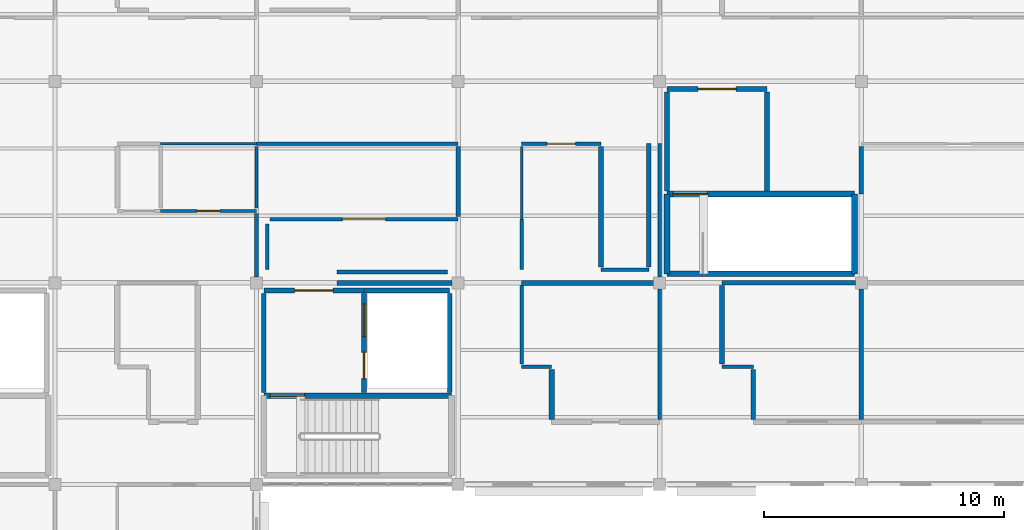
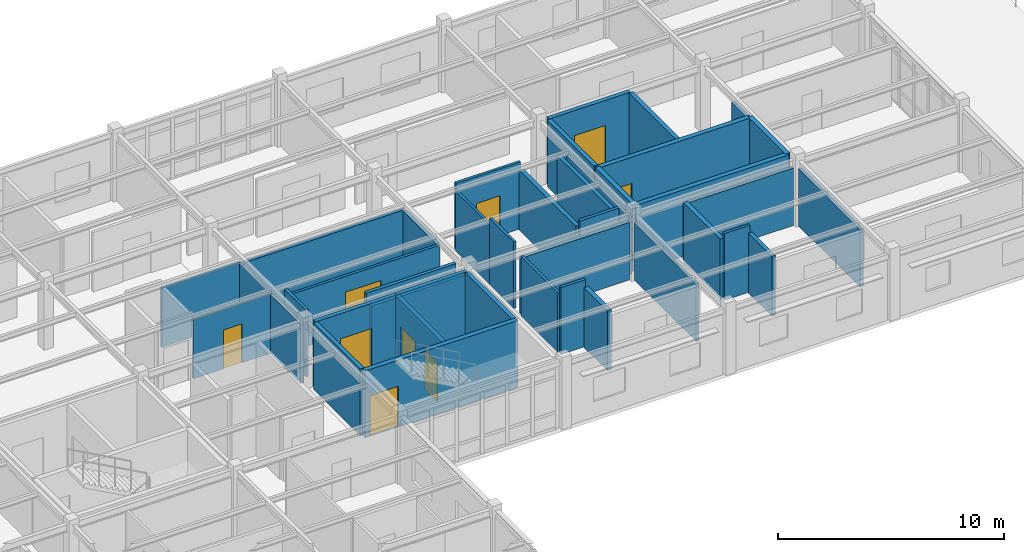
# One storey, part 44 of 53: 41 walls, 9 doors, 9 openings.
"""IFC4 building model written with IfcOpenShell, lengths in metres."""

from ifc_helpers import new_model, si_unit, direction, frame, frame_2d, origin, place, context, subcontext, project, spatial, rectangle, extrude, material, layer, layer_set, type_object, element, fill, save


model = new_model("IFC4")

# Units and contexts
model_context = context("Model", 3, precision=1e-05, world=origin(), true_north=direction((0.0, 1.0)))
body_context = subcontext(model_context, "Body", "Model", "MODEL_VIEW")
ifc_project = project(units=[si_unit("LENGTHUNIT", "METRE"), si_unit("AREAUNIT", "SQUARE_METRE"), si_unit("VOLUMEUNIT", "CUBIC_METRE"), si_unit("PLANEANGLEUNIT", "RADIAN"), si_unit("MASSUNIT", "GRAM", prefix="KILO")], contexts=[model_context])

# Site, building, storey
site_placement = place(None, origin())
site = spatial("IfcSite", under=ifc_project, at=site_placement, CompositionType="ELEMENT")
building_placement = place(site_placement, origin())
building = spatial("IfcBuilding", under=site, at=building_placement, Name="Bramfleet General Hospital", CompositionType="ELEMENT")
storey_placement = place(building_placement, frame((0.0, 0.0, 26.39990234375)))
storey = spatial("IfcBuildingStorey", under=building, at=storey_placement, Name="L06", CompositionType="ELEMENT", Elevation=26.39990234375)

# Walls
ifc_material_1 = material(Name="Concrete C35/45", Category="concrete")
ifc_layer_1 = layer(ifc_material_1, 0.219970703125, Name="WT-IW-01")
ifc_layer_set_1 = layer_set([ifc_layer_1], Name="Concrete C35/45")
wall_type_1 = type_object("IfcWallType", Name="WT-IW-01", PredefinedType="PARTITIONING", material=ifc_layer_set_1)
wall_1_placement = place(storey_placement, frame((120.949951171875, 100.800048828125, 0.0), z_axis=(0.0, 0.0, 1.0), x_axis=(1.0, 0.0, 0.0)))
element("IfcWall", 1, at=wall_1_placement, inside=storey, type_object=wall_type_1, Name="L06 Interior Partition IW-L06-3937", PredefinedType="PARTITIONING", context=body_context, shape_type="SweptSolid", body=[
    extrude(rectangle(XDim=4.804931640625, YDim=0.219970703125, at=frame_2d((2.40234375, 0.0))), origin(), (0.0, 0.0, 1.0), 3.210205078125),
])
wall_2_placement = place(storey_placement, frame((129.89990234375, 95.114990234375, 0.0), z_axis=(0.0, 0.0, 1.0), x_axis=(0.0, 1.0, 0.0)))
element("IfcWall", 2, at=wall_2_placement, inside=storey, type_object=wall_type_1, Name="L06 Interior Partition IW-L06-4105", PredefinedType="PARTITIONING", context=body_context, shape_type="SweptSolid", body=[
    extrude(rectangle(XDim=2.070068359375, YDim=0.219970703125, at=frame_2d((1.03515625, 0.0))), origin(), (0.0, 0.0, 1.0), 3.239990234375),
])
wall_3_placement = place(storey_placement, frame((137.0, 97.4150390625, 0.0), z_axis=(0.0, 0.0, 1.0), x_axis=(0.0, 1.0, 0.0)))
element("IfcWall", 3, at=wall_3_placement, inside=storey, type_object=wall_type_1, Name="L06 Interior Partition IW-L06-4117", PredefinedType="PARTITIONING", context=body_context, shape_type="SweptSolid", body=[
    extrude(rectangle(XDim=3.27001953125, YDim=0.219970703125, at=frame_2d((1.635009765625, 0.0))), origin(), (0.0, 0.0, 1.0), 3.239990234375),
])

# Wall, openings, doors
ifc_layer_2 = layer(ifc_material_1, 0.205078125, Name="WT-IW-02")
ifc_layer_set_2 = layer_set([ifc_layer_2], Name="Concrete C35/45")
wall_type_2 = type_object("IfcWallType", Name="WT-IW-02", PredefinedType="PARTITIONING", material=ifc_layer_set_2)
wall_4_placement = place(storey_placement, frame((122.080078125, 96.239990234375, 0.0), z_axis=(0.0, 0.0, 1.0), x_axis=(0.0, 1.0, 0.0)))
wall_4 = element("IfcWall", 4, at=wall_4_placement, inside=storey, type_object=wall_type_2, Name="L06 C6 Lobby East Shaft Wall", PredefinedType="PARTITIONING", context=body_context, shape_type="SweptSolid", body=[
    extrude(rectangle(XDim=4.1201171875, YDim=0.205078125, at=frame_2d((2.06005859375, 0.0))), origin(), (0.0, 0.0, 1.0), 3.610107421875),
])
opening_1_placement = place(wall_4_placement, frame((0.570068359375, 0.0, 0.0)))
opening_1 = element("IfcOpeningElement", 5, at=opening_1_placement, cuts=wall_4, Name="Opening LD-PL-04-L06", PredefinedType="OPENING", context=body_context, shape_type="SweptSolid", body=[
    extrude(rectangle(XDim=1.10009765625, YDim=2.14990234375, at=frame_2d((0.550048828125, 1.074951171875))), frame((0.0, 0.112548828125, 0.0), z_axis=(0.0, -1.0, 0.0), x_axis=(1.0, 0.0, 0.0)), (0.0, 0.0, 1.0), 0.22509765625),
])
opening_2_placement = place(wall_4_placement, frame((2.324951171875, 0.0, 0.0)))
opening_2 = element("IfcOpeningElement", 6, at=opening_2_placement, cuts=wall_4, Name="Opening LD-GL-02-L06", PredefinedType="OPENING", context=body_context, shape_type="SweptSolid", body=[
    extrude(rectangle(XDim=1.35009765625, YDim=2.199951171875, at=frame_2d((0.675048828125, 1.10009765625))), frame((0.0, 0.112548828125, 0.0), z_axis=(0.0, -1.0, 0.0), x_axis=(1.0, 0.0, 0.0)), (0.0, 0.0, 1.0), 0.22509765625),
])
ifc_material_2 = material(Name="Brushed stainless steel 1.4301", Category="steel")
door_type_1 = type_object("IfcDoorType", Name="DR-LD-01", OperationType="NOTDEFINED", PredefinedType="DOOR", material=ifc_material_2)
door_1_placement = place(opening_2_placement, origin())
door_1 = element("IfcDoor", 7, at=door_1_placement, inside=storey, type_object=door_type_1, Name="L06 Lift GL-02 Sliding Landing Door", OperationType="SLIDING_TO_LEFT", OverallHeight=2.199951171875, OverallWidth=1.35009765625, PredefinedType="DOOR", context=body_context, shape_type="SweptSolid", body=[
    extrude(rectangle(XDim=1.35009765625, YDim=2.199951171875, at=frame_2d((0.675048828125, 1.10009765625))), frame((0.0, 0.02490234375, 0.0), z_axis=(0.0, -1.0, 0.0), x_axis=(1.0, 0.0, 0.0)), (0.0, 0.0, 1.0), 0.050048828125),
])
fill(opening_2, door_1)
door_type_2 = type_object("IfcDoorType", Name="DR-LD-02", OperationType="NOTDEFINED", PredefinedType="DOOR", material=ifc_material_2)
door_2_placement = place(opening_1_placement, origin())
door_2 = element("IfcDoor", 8, at=door_2_placement, inside=storey, type_object=door_type_2, Name="L06 Lift PL-04 Sliding Landing Door", OperationType="SLIDING_TO_LEFT", OverallHeight=2.14990234375, OverallWidth=1.10009765625, PredefinedType="DOOR", context=body_context, shape_type="SweptSolid", body=[
    extrude(rectangle(XDim=1.10009765625, YDim=2.14990234375, at=frame_2d((0.550048828125, 1.074951171875))), frame((0.0, 0.02490234375, 0.0), z_axis=(0.0, -1.0, 0.0), x_axis=(1.0, 0.0, 0.0)), (0.0, 0.0, 1.0), 0.050048828125),
])
fill(opening_1, door_2)

# Walls
wall_5_placement = place(storey_placement, frame((125.64990234375, 96.239990234375, 0.0), z_axis=(0.0, 0.0, 1.0), x_axis=(0.0, 1.0, 0.0)))
element("IfcWall", 9, at=wall_5_placement, inside=storey, type_object=wall_type_2, Name="L06 C6 Lift Shaft East Wall", PredefinedType="PARTITIONING", context=body_context, shape_type="SweptSolid", body=[
    extrude(rectangle(XDim=4.1201171875, YDim=0.205078125, at=frame_2d((2.06005859375, 0.0))), origin(), (0.0, 0.0, 1.0), 3.610107421875),
])
wall_6_placement = place(storey_placement, frame((122.080078125, 100.47998046875, 0.0), z_axis=(0.0, 0.0, 1.0), x_axis=(1.0, 0.0, 0.0)))
element("IfcWall", 10, at=wall_6_placement, inside=storey, type_object=wall_type_2, Name="L06 C6 Lift Shaft North Wall", PredefinedType="PARTITIONING", context=body_context, shape_type="SweptSolid", body=[
    extrude(rectangle(XDim=3.56982421875, YDim=0.205078125, at=frame_2d((1.784912109375, 0.0))), origin(), (0.0, 0.0, 1.0), 3.610107421875),
])
wall_7_placement = place(storey_placement, frame((117.89990234375, 96.239990234375, 0.0), z_axis=(0.0, 0.0, 1.0), x_axis=(0.0, 1.0, 0.0)))
element("IfcWall", 11, at=wall_7_placement, inside=storey, type_object=wall_type_2, Name="L06 C6 Lobby West Compartment Wall", PredefinedType="PARTITIONING", context=body_context, shape_type="SweptSolid", body=[
    extrude(rectangle(XDim=4.1201171875, YDim=0.205078125, at=frame_2d((2.06005859375, 0.0))), origin(), (0.0, 0.0, 1.0), 3.610107421875),
])

# Wall, opening, door
wall_8_placement = place(storey_placement, frame((117.89990234375, 100.47998046875, 0.0), z_axis=(0.0, 0.0, 1.0), x_axis=(1.0, 0.0, 0.0)))
wall_8 = element("IfcWall", 12, at=wall_8_placement, inside=storey, type_object=wall_type_2, Name="L06 C6 Lobby North Compartment Wall", PredefinedType="PARTITIONING", context=body_context, shape_type="SweptSolid", body=[
    extrude(rectangle(XDim=4.18017578125, YDim=0.205078125, at=frame_2d((2.090087890625, 0.0))), origin(), (0.0, 0.0, 1.0), 3.610107421875),
])
opening_3_placement = place(wall_8_placement, frame((1.2900390625, 0.0, 0.0)))
opening_3 = element("IfcOpeningElement", 13, at=opening_3_placement, cuts=wall_8, Name="Opening D0088", PredefinedType="OPENING", context=body_context, shape_type="SweptSolid", body=[
    extrude(rectangle(XDim=1.60009765625, YDim=2.25, at=frame_2d((0.800048828125, 1.125))), frame((0.0, 0.112548828125, 0.0), z_axis=(0.0, -1.0, 0.0), x_axis=(1.0, 0.0, 0.0)), (0.0, 0.0, 1.0), 0.22509765625),
])
ifc_material_3 = material(Name="Stainless steel and acoustic timber leaf", Category="steel")
door_type_3 = type_object("IfcDoorType", Name="DR-D-04", OperationType="NOTDEFINED", PredefinedType="DOOR", material=ifc_material_3)
door_3_placement = place(opening_3_placement, origin())
door_3 = element("IfcDoor", 14, at=door_3_placement, inside=storey, type_object=door_type_3, Name="L06 C6 Lobby Fire Door D0088", OperationType="DOUBLE_SWING_LEFT", OverallHeight=2.25, OverallWidth=1.60009765625, PredefinedType="DOOR", context=body_context, shape_type="SweptSolid", body=[
    extrude(rectangle(XDim=1.60009765625, YDim=2.25, at=frame_2d((0.800048828125, 1.125))), frame((0.0, 0.02490234375, 0.0), z_axis=(0.0, -1.0, 0.0), x_axis=(1.0, 0.0, 0.0)), (0.0, 0.0, 1.0), 0.050048828125),
])
fill(opening_3, door_3)

# Walls
for number, where, z_axis, x_axis, name in (
    (15, (138.8798828125, 104.639892578125, 0.0), (0.0, 0.0, 1.0), (0.0, 1.0, 0.0), "L06 C9 Lobby East Shaft Wall"),
    (16, (134.699951171875, 104.639892578125, 0.0), (0.0, 0.0, 1.0), (0.0, 1.0, 0.0), "L06 C9 Lobby West Compartment Wall"),
):
    element("IfcWall", number, at=place(storey_placement, frame(where, z_axis=z_axis, x_axis=x_axis)), inside=storey, type_object=wall_type_2, Name=name, PredefinedType="PARTITIONING", context=body_context, shape_type="SweptSolid", body=[
        extrude(rectangle(XDim=4.1201171875, YDim=0.205078125, at=frame_2d((2.06005859375, 0.0))), origin(), (0.0, 0.0, 1.0), 3.610107421875),
    ])

# Wall, opening, door
wall_9_placement = place(storey_placement, frame((134.699951171875, 108.8798828125, 0.0), z_axis=(0.0, 0.0, 1.0), x_axis=(1.0, 0.0, 0.0)))
wall_9 = element("IfcWall", 17, at=wall_9_placement, inside=storey, type_object=wall_type_2, Name="L06 C9 Lobby North Compartment Wall", PredefinedType="PARTITIONING", context=body_context, shape_type="SweptSolid", body=[
    extrude(rectangle(XDim=4.179931640625, YDim=0.205078125, at=frame_2d((2.08984375, 0.0))), origin(), (0.0, 0.0, 1.0), 3.610107421875),
])
opening_4_placement = place(wall_9_placement, frame((1.2900390625, 0.0, 0.0)))
opening_4 = element("IfcOpeningElement", 18, at=opening_4_placement, cuts=wall_9, Name="Opening D0122", PredefinedType="OPENING", context=body_context, shape_type="SweptSolid", body=[
    extrude(rectangle(XDim=1.60009765625, YDim=2.25, at=frame_2d((0.800048828125, 1.125))), frame((0.0, 0.112548828125, 0.0), z_axis=(0.0, -1.0, 0.0), x_axis=(1.0, 0.0, 0.0)), (0.0, 0.0, 1.0), 0.22509765625),
])
door_4_placement = place(opening_4_placement, origin())
door_4 = element("IfcDoor", 19, at=door_4_placement, inside=storey, type_object=door_type_3, Name="L06 C9 Lobby Fire Door D0122", OperationType="DOUBLE_SWING_LEFT", OverallHeight=2.25, OverallWidth=1.60009765625, PredefinedType="DOOR", context=body_context, shape_type="SweptSolid", body=[
    extrude(rectangle(XDim=1.60009765625, YDim=2.25, at=frame_2d((0.800048828125, 1.125))), frame((0.0, 0.02490234375, 0.0), z_axis=(0.0, -1.0, 0.0), x_axis=(1.0, 0.0, 0.0)), (0.0, 0.0, 1.0), 0.050048828125),
])
fill(opening_4, door_4)

# Walls
wall_10_placement = place(storey_placement, frame((128.64990234375, 100.800048828125, 0.0), z_axis=(0.0, 0.0, 1.0), x_axis=(1.0, 0.0, 0.0)))
element("IfcWall", 20, at=wall_10_placement, inside=storey, type_object=wall_type_2, Name="L06 Interior Partition IW-L06-3938", PredefinedType="PARTITIONING", context=body_context, shape_type="SweptSolid", body=[
    extrude(rectangle(XDim=5.505126953125, YDim=0.205078125, at=frame_2d((2.75244140625, 0.0))), origin(), (0.0, 0.0, 1.0), 3.110107421875),
])
wall_11_placement = place(storey_placement, frame((131.949951171875, 101.465087890625, 0.0), z_axis=(0.0, 0.0, 1.0), x_axis=(0.0, 1.0, 0.0)))
element("IfcWall", 21, at=wall_11_placement, inside=storey, type_object=wall_type_2, Name="L06 Interior Partition IW-L06-4106", PredefinedType="PARTITIONING", context=body_context, shape_type="SweptSolid", body=[
    extrude(rectangle(XDim=5.02001953125, YDim=0.205078125, at=frame_2d((2.510009765625, 0.0))), origin(), (0.0, 0.0, 1.0), 3.239990234375),
])
ifc_layer_3 = layer(ifc_material_1, 0.18994140625, Name="WT-IW-03")
ifc_layer_set_3 = layer_set([ifc_layer_3], Name="Concrete C35/45")
wall_type_3 = type_object("IfcWallType", Name="WT-IW-03", PredefinedType="PARTITIONING", material=ifc_layer_set_3)
wall_12_placement = place(storey_placement, frame((137.0, 100.800048828125, 0.0), z_axis=(0.0, 0.0, 1.0), x_axis=(1.0, 0.0, 0.0)))
element("IfcWall", 22, at=wall_12_placement, inside=storey, type_object=wall_type_3, Name="L06 Interior Partition IW-L06-3939", PredefinedType="PARTITIONING", context=body_context, shape_type="SweptSolid", body=[
    extrude(rectangle(XDim=5.554931640625, YDim=0.18994140625, at=frame_2d((2.77734375, 0.0))), origin(), (0.0, 0.0, 1.0), 3.110107421875),
])
wall_13_placement = place(storey_placement, frame((133.949951171875, 101.465087890625, 0.0), z_axis=(0.0, 0.0, 1.0), x_axis=(0.0, 1.0, 0.0)))
element("IfcWall", 23, at=wall_13_placement, inside=storey, type_object=wall_type_3, Name="L06 Interior Partition IW-L06-4107", PredefinedType="PARTITIONING", context=body_context, shape_type="SweptSolid", body=[
    extrude(rectangle(XDim=5.135009765625, YDim=0.18994140625, at=frame_2d((2.5673828125, 0.0))), origin(), (0.0, 0.0, 1.0), 3.239990234375),
])
wall_14_placement = place(storey_placement, frame((138.300048828125, 95.114990234375, 0.0), z_axis=(0.0, 0.0, 1.0), x_axis=(0.0, 1.0, 0.0)))
element("IfcWall", 24, at=wall_14_placement, inside=storey, type_object=wall_type_3, Name="L06 Interior Partition IW-L06-4119", PredefinedType="PARTITIONING", context=body_context, shape_type="SweptSolid", body=[
    extrude(rectangle(XDim=2.070068359375, YDim=0.18994140625, at=frame_2d((1.03515625, 0.0))), origin(), (0.0, 0.0, 1.0), 3.239990234375),
])
ifc_layer_4 = layer(ifc_material_1, 0.179931640625, Name="WT-IW-04")
ifc_layer_set_4 = layer_set([ifc_layer_4], Name="Concrete C35/45")
wall_type_4 = type_object("IfcWallType", Name="WT-IW-04", PredefinedType="PARTITIONING", material=ifc_layer_set_4)
wall_15_placement = place(storey_placement, frame((126.0, 103.56494140625, 0.0), z_axis=(0.0, 0.0, 1.0), x_axis=(0.0, 1.0, 0.0)))
element("IfcWall", 25, at=wall_15_placement, inside=storey, type_object=wall_type_4, Name="L06 Interior Partition IW-L06-4096", PredefinedType="PARTITIONING", context=body_context, shape_type="SweptSolid", body=[
    extrude(rectangle(XDim=2.920166015625, YDim=0.179931640625, at=frame_2d((1.4599609375, 0.0))), origin(), (0.0, 0.0, 1.0), 3.110107421875),
])
wall_16_placement = place(storey_placement, frame((142.800048828125, 95.114990234375, 0.0), z_axis=(0.0, 0.0, 1.0), x_axis=(0.0, 1.0, 0.0)))
element("IfcWall", 26, at=wall_16_placement, inside=storey, type_object=wall_type_4, Name="L06 Interior Partition IW-L06-4120", PredefinedType="PARTITIONING", context=body_context, shape_type="SweptSolid", body=[
    extrude(rectangle(XDim=5.43994140625, YDim=0.179931640625, at=frame_2d((2.719970703125, 0.0))), origin(), (0.0, 0.0, 1.0), 3.110107421875),
])
ifc_material_4 = material(Name="Gypsum plasterboard on acoustic steel studs", Category="steel")
ifc_layer_5 = layer(ifc_material_4, 0.169921875, Name="WT-IW-05")
ifc_layer_set_5 = layer_set([ifc_layer_5], Name="Gypsum plasterboard on acoustic steel studs")
wall_type_5 = type_object("IfcWallType", Name="WT-IW-05", PredefinedType="PARTITIONING", material=ifc_layer_set_5)
wall_17_placement = place(storey_placement, frame((120.949951171875, 101.25, 0.0), z_axis=(0.0, 0.0, 1.0), x_axis=(1.0, 0.0, 0.0)))
element("IfcWall", 27, at=wall_17_placement, inside=storey, type_object=wall_type_5, Name="L06 Interior Partition IW-L06-3941", PredefinedType="PARTITIONING", context=body_context, shape_type="SweptSolid", body=[
    extrude(rectangle(XDim=4.60009765625, YDim=0.169921875, at=frame_2d((2.300048828125, 0.0))), origin(), (0.0, 0.0, 1.0), 3.610107421875),
])
wall_18_placement = place(storey_placement, frame((117.60009765625, 101.044921875, 0.0), z_axis=(0.0, 0.0, 1.0), x_axis=(0.0, 1.0, 0.0)))
element("IfcWall", 28, at=wall_18_placement, inside=storey, type_object=wall_type_5, Name="L06 Interior Partition IW-L06-4085", PredefinedType="PARTITIONING", context=body_context, shape_type="SweptSolid", body=[
    extrude(rectangle(XDim=2.64013671875, YDim=0.169921875, at=frame_2d((1.320068359375, 0.0))), origin(), (0.0, 0.0, 1.0), 3.210205078125),
])
wall_19_placement = place(storey_placement, frame((142.800048828125, 104.5, 0.0), z_axis=(0.0, 0.0, 1.0), x_axis=(0.0, 1.0, 0.0)))
element("IfcWall", 29, at=wall_19_placement, inside=storey, type_object=wall_type_5, Name="L06 Interior Partition IW-L06-4121", PredefinedType="PARTITIONING", context=body_context, shape_type="SweptSolid", body=[
    extrude(rectangle(XDim=1.985107421875, YDim=0.169921875, at=frame_2d((0.99267578125, 0.0))), origin(), (0.0, 0.0, 1.0), 3.110107421875),
])
ifc_layer_6 = layer(ifc_material_4, 0.159912109375, Name="WT-IW-06")
ifc_layer_set_6 = layer_set([ifc_layer_6], Name="Gypsum plasterboard on acoustic steel studs")
wall_type_6 = type_object("IfcWallType", Name="WT-IW-06", PredefinedType="PARTITIONING", material=ifc_layer_set_6)
wall_20_placement = place(storey_placement, frame((131.949951171875, 101.35009765625, 0.0), z_axis=(0.0, 0.0, 1.0), x_axis=(1.0, 0.0, 0.0)))
element("IfcWall", 30, at=wall_20_placement, inside=storey, type_object=wall_type_6, Name="L06 Interior Partition IW-L06-3942", PredefinedType="PARTITIONING", context=body_context, shape_type="SweptSolid", body=[
    extrude(rectangle(XDim=2.0, YDim=0.159912109375, at=frame_2d((1.0, 0.0))), origin(), (0.0, 0.0, 1.0), 3.610107421875),
])
ifc_layer_7 = layer(ifc_material_4, 0.14990234375, Name="WT-IW-07")
ifc_layer_set_7 = layer_set([ifc_layer_7], Name="Gypsum plasterboard on acoustic steel studs")
wall_type_7 = type_object("IfcWallType", Name="WT-IW-07", PredefinedType="PARTITIONING", material=ifc_layer_set_7)
wall_21_placement = place(storey_placement, frame((128.64990234375, 97.300048828125, 0.0), z_axis=(0.0, 0.0, 1.0), x_axis=(1.0, 0.0, 0.0)))
element("IfcWall", 31, at=wall_21_placement, inside=storey, type_object=wall_type_7, Name="L06 Interior Partition IW-L06-3931", PredefinedType="PARTITIONING", context=body_context, shape_type="SweptSolid", body=[
    extrude(rectangle(XDim=1.25, YDim=0.14990234375, at=frame_2d((0.625, 0.0))), origin(), (0.0, 0.0, 1.0), 3.610107421875),
])
wall_22_placement = place(storey_placement, frame((134.39990234375, 95.114990234375, 0.0), z_axis=(0.0, 0.0, 1.0), x_axis=(0.0, 1.0, 0.0)))
element("IfcWall", 32, at=wall_22_placement, inside=storey, type_object=wall_type_7, Name="L06 Interior Partition IW-L06-4111", PredefinedType="PARTITIONING", context=body_context, shape_type="SweptSolid", body=[
    extrude(rectangle(XDim=5.43994140625, YDim=0.14990234375, at=frame_2d((2.719970703125, 0.0))), origin(), (0.0, 0.0, 1.0), 3.110107421875),
])
ifc_layer_8 = layer(ifc_material_4, 0.139892578125, Name="WT-IW-08")
ifc_layer_set_8 = layer_set([ifc_layer_8], Name="Gypsum plasterboard on acoustic steel studs")
wall_type_8 = type_object("IfcWallType", Name="WT-IW-08", PredefinedType="PARTITIONING", material=ifc_layer_set_8)
wall_23_placement = place(storey_placement, frame((137.0, 97.300048828125, 0.0), z_axis=(0.0, 0.0, 1.0), x_axis=(1.0, 0.0, 0.0)))
element("IfcWall", 33, at=wall_23_placement, inside=storey, type_object=wall_type_8, Name="L06 Interior Partition IW-L06-3932", PredefinedType="PARTITIONING", context=body_context, shape_type="SweptSolid", body=[
    extrude(rectangle(XDim=1.300048828125, YDim=0.139892578125, at=frame_2d((0.64990234375, 0.0))), origin(), (0.0, 0.0, 1.0), 3.610107421875),
])

# Wall, opening, door
wall_24_placement = place(storey_placement, frame((118.14990234375, 103.449951171875, 0.0), z_axis=(0.0, 0.0, 1.0), x_axis=(1.0, 0.0, 0.0)))
wall_24 = element("IfcWall", 34, at=wall_24_placement, inside=storey, type_object=wall_type_8, Name="L06 Interior Partition IW-L06-3944", PredefinedType="PARTITIONING", context=body_context, shape_type="SweptSolid", body=[
    extrude(rectangle(XDim=7.85009765625, YDim=0.139892578125, at=frame_2d((3.925048828125, 0.0))), origin(), (0.0, 0.0, 1.0), 3.110107421875),
])
opening_5_placement = place(wall_24_placement, frame((3.02490234375, 0.0, 0.0)))
opening_5 = element("IfcOpeningElement", 35, at=opening_5_placement, cuts=wall_24, Name="Opening D1509", PredefinedType="OPENING", context=body_context, shape_type="SweptSolid", body=[
    extrude(rectangle(XDim=1.800048828125, YDim=2.25, at=frame_2d((0.89990234375, 1.125))), frame((0.0, 0.079833984375, 0.0), z_axis=(0.0, -1.0, 0.0), x_axis=(1.0, 0.0, 0.0)), (0.0, 0.0, 1.0), 0.159912109375),
])
door_type_4 = type_object("IfcDoorType", Name="DR-D-05", OperationType="NOTDEFINED", PredefinedType="DOOR", material=ifc_material_3)
door_5_placement = place(opening_5_placement, origin())
door_5 = element("IfcDoor", 36, at=door_5_placement, inside=storey, type_object=door_type_4, Name="Patient Dayroom and Garden Lounge L06-1412 Door D1509", OperationType="DOUBLE_SWING_RIGHT", OverallHeight=2.25, OverallWidth=1.800048828125, PredefinedType="DOOR", context=body_context, shape_type="SweptSolid", body=[
    extrude(rectangle(XDim=1.800048828125, YDim=2.25, at=frame_2d((0.89990234375, 1.125))), frame((0.0, 0.02490234375, 0.0), z_axis=(0.0, -1.0, 0.0), x_axis=(1.0, 0.0, 0.0)), (0.0, 0.0, 1.0), 0.050048828125),
])
fill(opening_5, door_5)

# Walls
wall_25_placement = place(storey_placement, frame((117.60009765625, 106.60009765625, 0.0), z_axis=(0.0, 0.0, 1.0), x_axis=(1.0, 0.0, 0.0)))
element("IfcWall", 37, at=wall_25_placement, inside=storey, type_object=wall_type_8, Name="L06 Interior Partition IW-L06-3956", PredefinedType="PARTITIONING", context=body_context, shape_type="SweptSolid", body=[
    extrude(rectangle(XDim=8.39990234375, YDim=0.139892578125, at=frame_2d((4.199951171875, 0.0))), origin(), (0.0, 0.0, 1.0), 3.110107421875),
])
wall_26_placement = place(storey_placement, frame((118.050048828125, 101.364990234375, 0.0), z_axis=(0.0, 0.0, 1.0), x_axis=(0.0, 1.0, 0.0)))
element("IfcWall", 38, at=wall_26_placement, inside=storey, type_object=wall_type_8, Name="L06 Interior Partition IW-L06-4088", PredefinedType="PARTITIONING", context=body_context, shape_type="SweptSolid", body=[
    extrude(rectangle(XDim=1.885009765625, YDim=0.139892578125, at=frame_2d((0.9423828125, 0.0))), origin(), (0.0, 0.0, 1.0), 3.610107421875),
])
wall_27_placement = place(storey_placement, frame((128.64990234375, 97.4150390625, 0.0), z_axis=(0.0, 0.0, 1.0), x_axis=(0.0, 1.0, 0.0)))
element("IfcWall", 39, at=wall_27_placement, inside=storey, type_object=wall_type_8, Name="L06 Interior Partition IW-L06-4100", PredefinedType="PARTITIONING", context=body_context, shape_type="SweptSolid", body=[
    extrude(rectangle(XDim=3.27001953125, YDim=0.139892578125, at=frame_2d((1.635009765625, 0.0))), origin(), (0.0, 0.0, 1.0), 3.239990234375),
])
wall_28_placement = place(storey_placement, frame((134.39990234375, 101.044921875, 0.0), z_axis=(0.0, 0.0, 1.0), x_axis=(0.0, 1.0, 0.0)))
element("IfcWall", 40, at=wall_28_placement, inside=storey, type_object=wall_type_8, Name="L06 Interior Partition IW-L06-4112", PredefinedType="PARTITIONING", context=body_context, shape_type="SweptSolid", body=[
    extrude(rectangle(XDim=5.55517578125, YDim=0.139892578125, at=frame_2d((2.777587890625, 0.0))), origin(), (0.0, 0.0, 1.0), 3.110107421875),
])

# Wall, opening, door
ifc_layer_9 = layer(ifc_material_4, 0.1298828125, Name="WT-IW-09")
ifc_layer_set_9 = layer_set([ifc_layer_9], Name="Gypsum plasterboard on acoustic steel studs")
wall_type_9 = type_object("IfcWallType", Name="WT-IW-09", PredefinedType="PARTITIONING", material=ifc_layer_set_9)
wall_29_placement = place(storey_placement, frame((128.64990234375, 106.60009765625, 0.0), z_axis=(0.0, 0.0, 1.0), x_axis=(1.0, 0.0, 0.0)))
wall_29 = element("IfcWall", 41, at=wall_29_placement, inside=storey, type_object=wall_type_9, Name="L06 Interior Partition IW-L06-3957", PredefinedType="PARTITIONING", context=body_context, shape_type="SweptSolid", body=[
    extrude(rectangle(XDim=3.300048828125, YDim=0.1298828125, at=frame_2d((1.64990234375, 0.0))), origin(), (0.0, 0.0, 1.0), 3.610107421875),
])
opening_6_placement = place(wall_29_placement, frame((1.050048828125, 0.0, 0.0)))
opening_6 = element("IfcOpeningElement", 42, at=opening_6_placement, cuts=wall_29, Name="Opening D1517", PredefinedType="OPENING", context=body_context, shape_type="SweptSolid", body=[
    extrude(rectangle(XDim=1.199951171875, YDim=2.14990234375, at=frame_2d((0.60009765625, 1.074951171875))), frame((0.0, 0.074951171875, 0.0), z_axis=(0.0, -1.0, 0.0), x_axis=(1.0, 0.0, 0.0)), (0.0, 0.0, 1.0), 0.14990234375),
])
door_type_5 = type_object("IfcDoorType", Name="DR-D-13", OperationType="NOTDEFINED", PredefinedType="DOOR", material=ifc_material_3)
door_6_placement = place(opening_6_placement, origin())
door_6 = element("IfcDoor", 43, at=door_6_placement, inside=storey, type_object=door_type_5, Name="Ward Linen and Clean Utility L06-1512 Door D1517", OperationType="SINGLE_SWING_RIGHT", OverallHeight=2.14990234375, OverallWidth=1.199951171875, PredefinedType="DOOR", context=body_context, shape_type="SweptSolid", body=[
    extrude(rectangle(XDim=1.199951171875, YDim=2.14990234375, at=frame_2d((0.60009765625, 1.074951171875))), frame((0.0, 0.02490234375, 0.0), z_axis=(0.0, -1.0, 0.0), x_axis=(1.0, 0.0, 0.0)), (0.0, 0.0, 1.0), 0.050048828125),
])
fill(opening_6, door_6)

# Wall
wall_30_placement = place(storey_placement, frame((128.64990234375, 101.35009765625, 0.0), z_axis=(0.0, 0.0, 1.0), x_axis=(0.0, 1.0, 0.0)))
element("IfcWall", 44, at=wall_30_placement, inside=storey, type_object=wall_type_9, Name="L06 Interior Partition IW-L06-4101", PredefinedType="PARTITIONING", context=body_context, shape_type="SweptSolid", body=[
    extrude(rectangle(XDim=2.099853515625, YDim=0.1298828125, at=frame_2d((1.0498046875, 0.0))), origin(), (0.0, 0.0, 1.0), 3.610107421875),
])

# Wall, opening, door
ifc_layer_10 = layer(ifc_material_4, 0.1201171875, Name="WT-IW-10")
ifc_layer_set_10 = layer_set([ifc_layer_10], Name="Gypsum plasterboard on acoustic steel studs")
wall_type_10 = type_object("IfcWallType", Name="WT-IW-10", PredefinedType="PARTITIONING", material=ifc_layer_set_10)
wall_31_placement = place(storey_placement, frame((113.60009765625, 103.800048828125, 0.0), z_axis=(0.0, 0.0, 1.0), x_axis=(1.0, 0.0, 0.0)))
wall_31 = element("IfcWall", 45, at=wall_31_placement, inside=storey, type_object=wall_type_10, Name="L06 Interior Partition IW-L06-3948", PredefinedType="PARTITIONING", context=body_context, shape_type="SweptSolid", body=[
    extrude(rectangle(XDim=4.0, YDim=0.1201171875, at=frame_2d((2.0, 0.0))), origin(), (0.0, 0.0, 1.0), 3.210205078125),
])
opening_7_placement = place(wall_31_placement, frame((1.52490234375, 0.0, 0.0)))
opening_7 = element("IfcOpeningElement", 46, at=opening_7_placement, cuts=wall_31, Name="Opening D1502", PredefinedType="OPENING", context=body_context, shape_type="SweptSolid", body=[
    extrude(rectangle(XDim=0.949951171875, YDim=2.10009765625, at=frame_2d((0.47509765625, 1.050048828125))), frame((0.0, 0.070068359375, 0.0), z_axis=(0.0, -1.0, 0.0), x_axis=(1.0, 0.0, 0.0)), (0.0, 0.0, 1.0), 0.14013671875),
])
door_type_6 = type_object("IfcDoorType", Name="DR-D-10", OperationType="NOTDEFINED", PredefinedType="DOOR", material=ifc_material_3)
door_7_placement = place(opening_7_placement, origin())
door_7 = element("IfcDoor", 47, at=door_7_placement, inside=storey, type_object=door_type_6, Name="L06 Accessible and Staff WC 1312 Door D1502", OperationType="SINGLE_SWING_LEFT", OverallHeight=2.10009765625, OverallWidth=0.949951171875, PredefinedType="DOOR", context=body_context, shape_type="SweptSolid", body=[
    extrude(rectangle(XDim=0.949951171875, YDim=2.10009765625, at=frame_2d((0.47509765625, 1.050048828125))), frame((0.0, 0.02490234375, 0.0), z_axis=(0.0, -1.0, 0.0), x_axis=(1.0, 0.0, 0.0)), (0.0, 0.0, 1.0), 0.050048828125),
])
fill(opening_7, door_7)

# Walls
wall_32_placement = place(storey_placement, frame((113.60009765625, 106.60009765625, 0.0), z_axis=(0.0, 0.0, 1.0), x_axis=(1.0, 0.0, 0.0)))
element("IfcWall", 48, at=wall_32_placement, inside=storey, type_object=wall_type_10, Name="L06 Interior Partition IW-L06-3955", PredefinedType="PARTITIONING", context=body_context, shape_type="SweptSolid", body=[
    extrude(rectangle(XDim=4.0, YDim=0.1201171875, at=frame_2d((2.0, 0.0))), origin(), (0.0, 0.0, 1.0), 3.210205078125),
])
wall_33_placement = place(storey_placement, frame((117.60009765625, 103.9150390625, 0.0), z_axis=(0.0, 0.0, 1.0), x_axis=(0.0, 1.0, 0.0)))
element("IfcWall", 49, at=wall_33_placement, inside=storey, type_object=wall_type_10, Name="L06 Interior Partition IW-L06-4086", PredefinedType="PARTITIONING", context=body_context, shape_type="SweptSolid", body=[
    extrude(rectangle(XDim=2.570068359375, YDim=0.1201171875, at=frame_2d((1.28515625, 0.0))), origin(), (0.0, 0.0, 1.0), 3.210205078125),
])
wall_34_placement = place(storey_placement, frame((128.64990234375, 103.449951171875, 0.0), z_axis=(0.0, 0.0, 1.0), x_axis=(0.0, 1.0, 0.0)))
element("IfcWall", 50, at=wall_34_placement, inside=storey, type_object=wall_type_10, Name="L06 Interior Partition IW-L06-4102", PredefinedType="PARTITIONING", context=body_context, shape_type="SweptSolid", body=[
    extrude(rectangle(XDim=3.03515625, YDim=0.1201171875, at=frame_2d((1.517578125, 0.0))), origin(), (0.0, 0.0, 1.0), 3.239990234375),
])

# Wall, opening, door
ifc_material_5 = material(Name="Concrete C40/50", Category="concrete")
ifc_layer_11 = layer(ifc_material_5, 0.239990234375, Name="WT-SW-240")
ifc_layer_set_11 = layer_set([ifc_layer_11], Name="Concrete C40/50")
wall_type_11 = type_object("IfcWallType", Name="WT-SW-240", PredefinedType="SHEAR", material=ifc_layer_set_11)
wall_35_placement = place(storey_placement, frame((117.89990234375, 96.10009765625, 0.0), z_axis=(0.0, 0.0, 1.0), x_axis=(1.0, 0.0, 0.0)))
wall_35 = element("IfcWall", 51, at=wall_35_placement, inside=storey, type_object=wall_type_11, Name="L06 C6 Stair-Lobby Shear Wall", PredefinedType="SHEAR", context=body_context, shape_type="SweptSolid", body=[
    extrude(rectangle(XDim=7.820068359375, YDim=0.239990234375, at=frame_2d((3.91015625, 0.0))), origin(), (0.0, 0.0, 1.0), 3.6201171875),
])
opening_8_placement = place(wall_35_placement, frame((0.25, 0.0, 0.0)))
opening_8 = element("IfcOpeningElement", 52, at=opening_8_placement, cuts=wall_35, Name="Opening D0087", PredefinedType="OPENING", context=body_context, shape_type="SweptSolid", body=[
    extrude(rectangle(XDim=1.449951171875, YDim=2.199951171875, at=frame_2d((0.72509765625, 1.10009765625))), frame((0.0, 0.1298828125, 0.0), z_axis=(0.0, -1.0, 0.0), x_axis=(1.0, 0.0, 0.0)), (0.0, 0.0, 1.0), 0.260009765625),
])
door_type_7 = type_object("IfcDoorType", Name="DR-D-03", OperationType="NOTDEFINED", PredefinedType="DOOR", material=ifc_material_3)
door_8_placement = place(opening_8_placement, origin())
door_8 = element("IfcDoor", 53, at=door_8_placement, inside=storey, type_object=door_type_7, Name="L06 C6 Escape Stair Fire Door D0087", OperationType="SINGLE_SWING_RIGHT", OverallHeight=2.199951171875, OverallWidth=1.449951171875, PredefinedType="DOOR", context=body_context, shape_type="SweptSolid", body=[
    extrude(rectangle(XDim=1.449951171875, YDim=2.199951171875, at=frame_2d((0.72509765625, 1.10009765625))), frame((0.0, 0.02490234375, 0.0), z_axis=(0.0, -1.0, 0.0), x_axis=(1.0, 0.0, 0.0)), (0.0, 0.0, 1.0), 0.050048828125),
])
fill(opening_8, door_8)

# Walls
wall_36_placement = place(storey_placement, frame((134.699951171875, 101.179931640625, 0.0), z_axis=(0.0, 0.0, 1.0), x_axis=(1.0, 0.0, 0.0)))
element("IfcWall", 54, at=wall_36_placement, inside=storey, type_object=wall_type_11, Name="L06 C9 South Stair Shear Wall", PredefinedType="SHEAR", context=body_context, shape_type="SweptSolid", body=[
    extrude(rectangle(XDim=7.820068359375, YDim=0.239990234375, at=frame_2d((3.91015625, 0.0))), origin(), (0.0, 0.0, 1.0), 3.6201171875),
])
for number, where, z_axis, x_axis, name in (
    (55, (134.699951171875, 101.179931640625, 0.0), (0.0, 0.0, 1.0), (0.0, 1.0, 0.0), "L06 C9 West Stair Shear Wall"),
    (56, (142.52001953125, 101.179931640625, 0.0), (0.0, 0.0, 1.0), (0.0, 1.0, 0.0), "L06 C9 East Stair Shear Wall"),
):
    element("IfcWall", number, at=place(storey_placement, frame(where, z_axis=z_axis, x_axis=x_axis)), inside=storey, type_object=wall_type_11, Name=name, PredefinedType="SHEAR", context=body_context, shape_type="SweptSolid", body=[
        extrude(rectangle(XDim=3.320068359375, YDim=0.239990234375, at=frame_2d((1.66015625, 0.0))), origin(), (0.0, 0.0, 1.0), 3.6201171875),
    ])

# Wall, opening, door
wall_37_placement = place(storey_placement, frame((134.699951171875, 104.5, 0.0), z_axis=(0.0, 0.0, 1.0), x_axis=(1.0, 0.0, 0.0)))
wall_37 = element("IfcWall", 57, at=wall_37_placement, inside=storey, type_object=wall_type_11, Name="L06 C9 Stair-Lobby Shear Wall", PredefinedType="SHEAR", context=body_context, shape_type="SweptSolid", body=[
    extrude(rectangle(XDim=7.820068359375, YDim=0.239990234375, at=frame_2d((3.91015625, 0.0))), origin(), (0.0, 0.0, 1.0), 3.6201171875),
])
opening_9_placement = place(wall_37_placement, frame((0.25, 0.0, 0.0)))
opening_9 = element("IfcOpeningElement", 58, at=opening_9_placement, cuts=wall_37, Name="Opening D0121", PredefinedType="OPENING", context=body_context, shape_type="SweptSolid", body=[
    extrude(rectangle(XDim=1.449951171875, YDim=2.199951171875, at=frame_2d((0.72509765625, 1.10009765625))), frame((0.0, 0.1298828125, 0.0), z_axis=(0.0, -1.0, 0.0), x_axis=(1.0, 0.0, 0.0)), (0.0, 0.0, 1.0), 0.260009765625),
])
door_9_placement = place(opening_9_placement, origin())
door_9 = element("IfcDoor", 59, at=door_9_placement, inside=storey, type_object=door_type_7, Name="L06 C9 Escape Stair Fire Door D0121", OperationType="SINGLE_SWING_RIGHT", OverallHeight=2.199951171875, OverallWidth=1.449951171875, PredefinedType="DOOR", context=body_context, shape_type="SweptSolid", body=[
    extrude(rectangle(XDim=1.449951171875, YDim=2.199951171875, at=frame_2d((0.72509765625, 1.10009765625))), frame((0.0, 0.02490234375, 0.0), z_axis=(0.0, -1.0, 0.0), x_axis=(1.0, 0.0, 0.0)), (0.0, 0.0, 1.0), 0.050048828125),
])
fill(opening_9, door_9)

save(model, "model.ifc")
